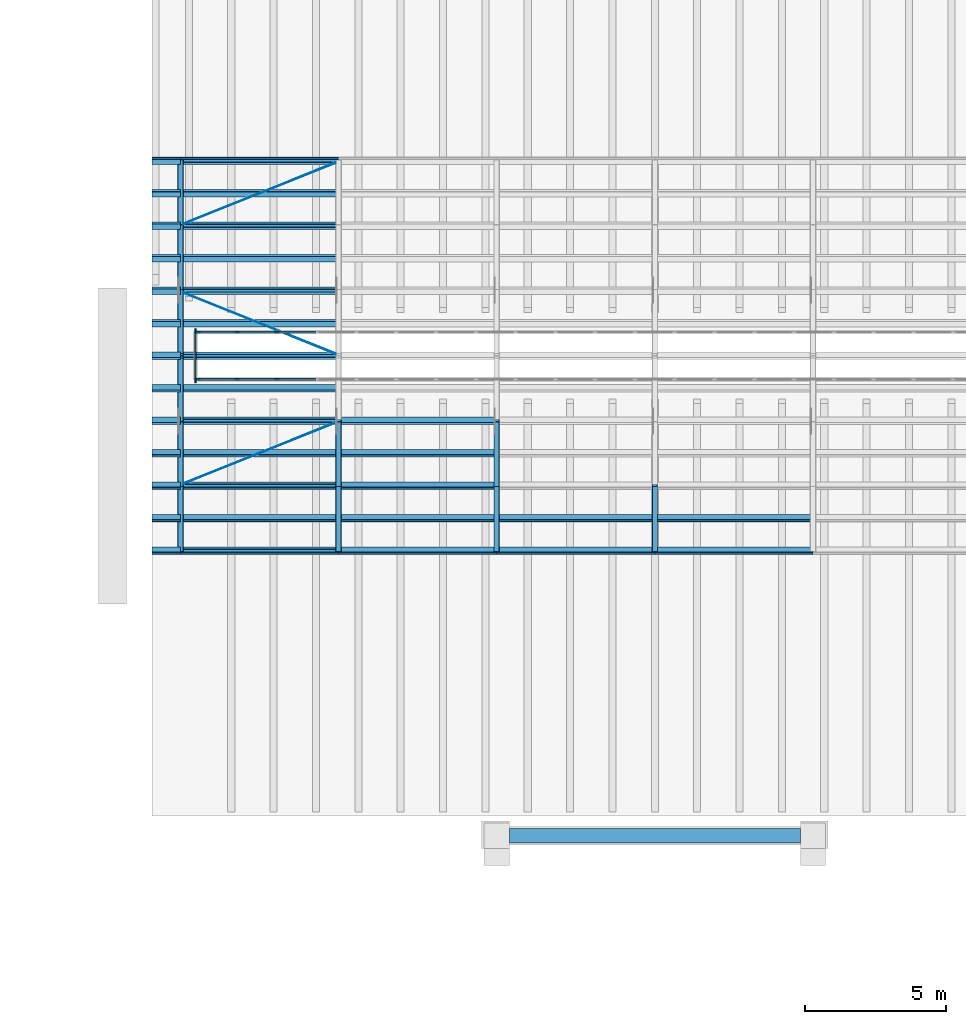
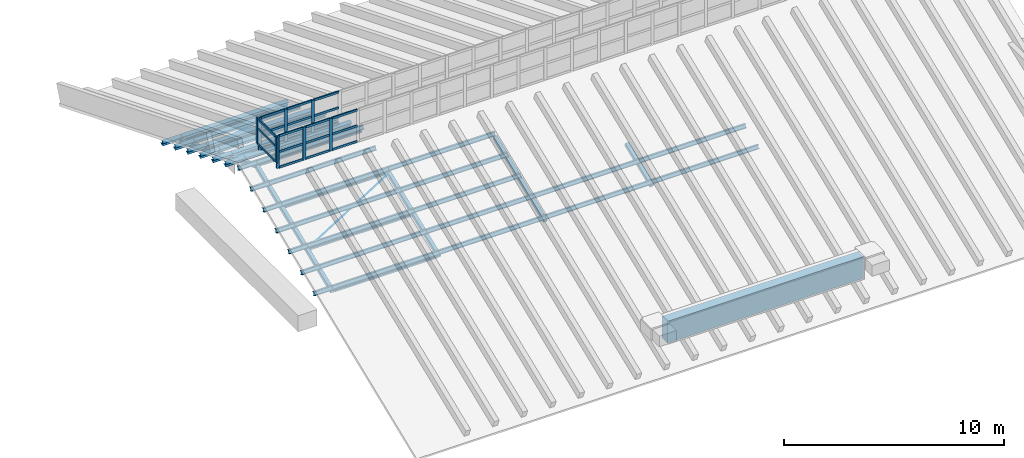
# One storey, part 29 of 105: 85 members, 1 beam, 3 elements without a shape of their own.
"""IFC4 building model written with IfcOpenShell, lengths in metres."""

import ifcopenshell
import ifcopenshell.guid

model = None  # the IFC model being written
_history = None  # IfcOwnerHistory: only IFC2X3 demands one
_inside = {}  # id of a spatial element -> (the spatial element, [elements in it])
_under = {}  # id of a project, library or spatial element -> (it, [spatial elements below it])
_declared = {}  # id of a project -> (the project, [libraries it declares])
_typed = {}  # id of a type object -> (the type object, [elements of that type])
_made_of = {}  # id of a material, layer set ... -> (it, [elements and type objects made of it])


def new_model(schema):
    """Start an empty IFC model of exactly this schema.

    Asked for "IFC4X3", IfcOpenShell would pick the latest addendum, in which some entities
    have other attributes; the version numbers below select the first issue.
    IFC2X3 requires an IfcOwnerHistory on every rooted entity: one is made here for all.
    """
    global model, _history
    if schema == "IFC4X3":
        model = ifcopenshell.file(schema_version=(4, 3, 0, 0))
    else:
        model = ifcopenshell.file(schema=schema)
    _inside.clear()
    _under.clear()
    _declared.clear()
    _typed.clear()
    _made_of.clear()
    _history = None
    if model.schema == "IFC2X3":
        org = make("IfcOrganization", Name="unknown")
        user = make(
            "IfcPersonAndOrganization",
            ThePerson=make("IfcPerson", FamilyName="unknown"),
            TheOrganization=org,
        )
        app = make(
            "IfcApplication",
            ApplicationDeveloper=org,
            Version="unknown",
            ApplicationFullName="unknown",
            ApplicationIdentifier="unknown",
        )
        _history = make(
            "IfcOwnerHistory",
            OwningUser=user,
            OwningApplication=app,
            ChangeAction="ADDED",
            CreationDate=0,
        )
    return model


def make(cls, **values):
    """One entity of the class cls with the attributes given. An attribute that is None is left unset."""
    return model.create_entity(
        cls, **{name: value for name, value in values.items() if value is not None}
    )


def rooted(cls, **values):
    """An entity with a GlobalId (a new one), such as an element, a storey or a relation."""
    return make(cls, GlobalId=ifcopenshell.guid.new(), OwnerHistory=_history, **values)


def si_unit(unit_type, name, prefix=None):
    """IfcSIUnit, for example si_unit("LENGTHUNIT", "METRE", prefix="MILLI")."""
    return make("IfcSIUnit", UnitType=unit_type, Prefix=prefix, Name=name)


def assignment(units):
    """IfcUnitAssignment: the units of a project."""
    return None if units is None else make("IfcUnitAssignment", Units=units)


def point(xyz):
    """IfcCartesianPoint."""
    return None if xyz is None else make("IfcCartesianPoint", Coordinates=xyz)


def direction(xyz):
    """IfcDirection."""
    return None if xyz is None else make("IfcDirection", DirectionRatios=xyz)


def frame(location, z_axis=None, x_axis=None):
    """IfcAxis2Placement3D, a coordinate frame: its origin and axes. An axis left out is left unset."""
    return make(
        "IfcAxis2Placement3D",
        Location=point(location),
        Axis=direction(z_axis),
        RefDirection=direction(x_axis),
    )


def frame_2d(location, x_axis=None):
    """IfcAxis2Placement2D, a coordinate frame in the plane: its origin and x axis."""
    return make(
        "IfcAxis2Placement2D", Location=point(location), RefDirection=direction(x_axis)
    )


def origin():
    """The frame at (0, 0, 0) with its axes left unset."""
    return frame((0.0, 0.0, 0.0))


def origin_2d():
    """The frame at (0, 0) in the plane with its x axis left unset."""
    return frame_2d((0.0, 0.0))


def place(relative_to, where):
    """IfcLocalPlacement: puts the frame where relative to a parent placement (None: the world)."""
    return make(
        "IfcLocalPlacement", PlacementRelTo=relative_to, RelativePlacement=where
    )


def context(
    kind, dimensions, precision=None, world=None, true_north=None, identifier=None
):
    """IfcGeometricRepresentationContext, for example the 3D "Model" context."""
    return make(
        "IfcGeometricRepresentationContext",
        ContextIdentifier=identifier,
        ContextType=kind,
        CoordinateSpaceDimension=dimensions,
        Precision=precision,
        WorldCoordinateSystem=world,
        TrueNorth=true_north,
    )


def subcontext(parent, identifier, kind, view, scale=None):
    """IfcGeometricRepresentationSubContext, for example "Body" below "Model"."""
    return make(
        "IfcGeometricRepresentationSubContext",
        ContextIdentifier=identifier,
        ContextType=kind,
        ParentContext=parent,
        TargetScale=scale,
        TargetView=view,
    )


def project(units=None, contexts=None):
    """IfcProject with its units and contexts."""
    return rooted(
        "IfcProject",
        Name="project",
        RepresentationContexts=contexts,
        UnitsInContext=assignment(units),
    )


def spatial(cls, under=None, at=None, **own):
    """A site, building, storey or space (cls), placed at a placement, below another one or the project."""
    s = rooted(cls, ObjectPlacement=at, **own)
    if under is not None:
        _under.setdefault(under.id(), (under, []))[1].append(s)
    return s


def profile(cls, at=None, kind="AREA", **sizes):
    """A parametric profile (cls). Its sizes go by their IFC names, for example OverallWidth=200.0."""
    return make(cls, ProfileType=kind, Position=at, **sizes)


def rectangle(**sizes):
    """IfcRectangleProfileDef."""
    return profile("IfcRectangleProfileDef", **sizes)


def hollow_rectangle(**sizes):
    """IfcRectangleHollowProfileDef."""
    return profile("IfcRectangleHollowProfileDef", **sizes)


def circle(**sizes):
    """IfcCircleProfileDef."""
    return profile("IfcCircleProfileDef", **sizes)


def i_section(**sizes):
    """IfcIShapeProfileDef."""
    return profile("IfcIShapeProfileDef", **sizes)


def extrude(swept, where, along, depth):
    """IfcExtrudedAreaSolid: the profile swept, set in the frame where, extruded along a direction by depth."""
    return make(
        "IfcExtrudedAreaSolid",
        SweptArea=swept,
        Position=where,
        ExtrudedDirection=direction(along),
        Depth=depth,
    )


def shape(context_of_items, identifier, shape_type, items):
    """IfcShapeRepresentation: the items that make up one representation, for example the "Body"."""
    return make(
        "IfcShapeRepresentation",
        ContextOfItems=context_of_items,
        RepresentationIdentifier=identifier,
        RepresentationType=shape_type,
        Items=items,
    )


def material(Name=None, Category=None):
    """IfcMaterial."""
    return make("IfcMaterial", Name=Name, Category=Category)


def layer(
    of_material, thickness, ventilated=None, Name=None, Category=None, Priority=None
):
    """IfcMaterialLayer: one layer of a wall or slab, of a material (None: an air gap)."""
    return make(
        "IfcMaterialLayer",
        Material=of_material,
        LayerThickness=thickness,
        IsVentilated=ventilated,
        Name=Name,
        Category=Category,
        Priority=Priority,
    )


def layer_set(layers, Name=None):
    """IfcMaterialLayerSet."""
    return make("IfcMaterialLayerSet", MaterialLayers=layers, LayerSetName=Name)


def material_profile(
    of_material, cross_section, Name=None, Category=None, Priority=None
):
    """IfcMaterialProfile: a cross section and its material."""
    return make(
        "IfcMaterialProfile",
        Name=Name,
        Material=of_material,
        Profile=cross_section,
        Priority=Priority,
        Category=Category,
    )


def profile_set(profiles, Name=None, composite=None):
    """IfcMaterialProfileSet."""
    return make(
        "IfcMaterialProfileSet",
        Name=Name,
        MaterialProfiles=profiles,
        CompositeProfile=composite,
    )


def made_of(thing, what):
    """Note that an element or type object is made of a material, layer set ...; save() writes the relation."""
    if what is not None:
        _made_of.setdefault(what.id(), (what, []))[1].append(thing)
    return thing


def type_object(cls, material=None, **own):
    """A type object (cls), such as IfcWallType, which elements share."""
    return made_of(rooted(cls, **own), material)


def element(
    cls,
    number,
    at=None,
    inside=None,
    cuts=None,
    type_object=None,
    material=None,
    context=None,
    identifier="Body",
    shape_type=None,
    held_by="IfcProductDefinitionShape",
    body=None,
    shapes=None,
    **own,
):
    """One element of the class cls, such as IfcWall. Its Tag is "e" and its number.

    at: its placement. inside: the storey or other place that contains it. cuts: it is an
    opening in that element (IfcRelVoidsElement). A single representation is given by context,
    identifier, shape_type and body (its items); several are given by shapes. held_by: the class
    of the entity that holds the representations. save() writes the other relations.
    """
    e = rooted(cls, Tag="e%d" % number, ObjectPlacement=at, **own)
    if body is not None:
        shapes = [shape(context, identifier, shape_type, body)]
    if shapes is not None:
        e.Representation = make(held_by, Representations=shapes)
    if inside is not None:
        _inside.setdefault(inside.id(), (inside, []))[1].append(e)
    if cuts is not None:
        rooted(
            "IfcRelVoidsElement", RelatingBuildingElement=cuts, RelatedOpeningElement=e
        )
    if type_object is not None:
        _typed.setdefault(type_object.id(), (type_object, []))[1].append(e)
    return made_of(e, material)


def aggregate(whole, parts):
    """IfcRelAggregates: a whole, such as a stair, and the parts it consists of."""
    return rooted("IfcRelAggregates", RelatingObject=whole, RelatedObjects=parts)


def save(model, path):
    """Write the relations noted so far, then the file.

    IfcRelAggregates (storeys below a building ...), IfcRelContainedInSpatialStructure (elements
    in a storey), IfcRelDefinesByType, IfcRelAssociatesMaterial and IfcRelDeclares: one each for
    every whole, place, type object, material and project.
    """
    for whole, parts in _under.values():
        aggregate(whole, parts)
    for where, things in _inside.values():
        rooted(
            "IfcRelContainedInSpatialStructure",
            RelatedElements=things,
            RelatingStructure=where,
        )
    for kind, things in _typed.values():
        rooted("IfcRelDefinesByType", RelatedObjects=things, RelatingType=kind)
    for what, things in _made_of.values():
        rooted("IfcRelAssociatesMaterial", RelatedObjects=things, RelatingMaterial=what)
    for by, libraries in _declared.values():
        rooted("IfcRelDeclares", RelatingContext=by, RelatedDefinitions=libraries)
    model.write(path)


model = new_model("IFC4")

# Units and contexts
model_context = context("Model", 3, precision=1e-05, world=origin(), true_north=direction((0.0, 1.0)))
body_context = subcontext(model_context, "Body", "Model", "MODEL_VIEW")
ifc_project = project(units=[si_unit("LENGTHUNIT", "METRE"), si_unit("AREAUNIT", "SQUARE_METRE"), si_unit("VOLUMEUNIT", "CUBIC_METRE"), si_unit("PLANEANGLEUNIT", "RADIAN"), si_unit("MASSUNIT", "GRAM", prefix="KILO")], contexts=[model_context])

# Site, building, storey
site_placement = place(None, origin())
site = spatial("IfcSite", under=ifc_project, at=site_placement, CompositionType="ELEMENT")
building_placement = place(site_placement, origin())
building = spatial("IfcBuilding", under=site, at=building_placement, Name="Wasatch Bagh Community Centre", CompositionType="ELEMENT")
storey_placement = place(building_placement, frame((0.0, 0.0, 16.800048828125)))
storey = spatial("IfcBuildingStorey", under=building, at=storey_placement, Name="L04", CompositionType="ELEMENT", Elevation=16.800048828125)

# Beam
ifc_material_1 = material(Name="Concrete C35", Category="concrete")
ifc_material_profile_1 = material_profile(ifc_material_1, rectangle(XDim=0.5, YDim=1.199951171875, at=origin_2d()), Name="RC 500x1200")
ifc_profile_set_1 = profile_set([ifc_material_profile_1], Name="Concrete C35")
beam_type = type_object("IfcBeamType", Name="CL-B3", PredefinedType="BEAM", material=ifc_profile_set_1)
beam_placement = place(storey_placement, frame((123.85009765625, 35.0, 0.0), z_axis=(1.0, 0.0, 0.0), x_axis=(0.0, 1.0, 0.0)))
element("IfcBeam", 1, at=beam_placement, inside=storey, type_object=beam_type, Name="CL-B3 head beam SH", PredefinedType="BEAM", context=body_context, shape_type="SweptSolid", body=[
    extrude(rectangle(XDim=0.5, YDim=1.199951171875, at=origin_2d()), origin(), (0.0, 0.0, 1.0), 10.2998046875),
])

# Members
ifc_material_2 = material(Name="ASTM A500 Grade C steel", Category="steel")
ifc_material_profile_2 = material_profile(ifc_material_2, hollow_rectangle(XDim=0.1015625, YDim=0.1015625, WallThickness=0.005859375, InnerFilletRadius=0.005859375, OuterFilletRadius=0.01171875, at=origin_2d()), Name="HSS4x4x1/4")
ifc_profile_set_2 = profile_set([ifc_material_profile_2], Name="ASTM A500 Grade C steel")
member_type_1 = type_object("IfcMemberType", Name="SH HSS4x4x1/4 strut", PredefinedType="STRUT", material=ifc_profile_set_2)
for number, where, z_axis, x_axis, name in (
    (2, (112.29541015625, 45.10009765625, 0.088134765625), (1.0, 0.0, 0.0), (0.0, 1.0, 0.0), "SH.BR.wT.ST03E"),
    (3, (112.29541015625, 47.39990234375, 1.017333984375), (1.0, 0.0, 0.0), (0.0, 1.0, 0.0), "SH.BR.wT.ST05W"),
    (4, (112.29541015625, 49.699951171875, 1.94677734375), (1.0, 0.0, 0.0), (0.0, 1.0, 0.0), "SH.BR.wT.ST05E"),
    (5, (112.29541015625, 52.0, 2.884033203125), (1.0, 0.0, 0.0), (0.0, 1.0, 0.0), "SH.BR.wT.ST07W"),
    (6, (112.29541015625, 54.300048828125, 1.94677734375), (1.0, 0.0, 0.0), (0.0, 1.0, 0.0), "SH.BR.wT.ST07E"),
    (7, (112.29541015625, 56.60009765625, 1.017333984375), (1.0, 0.0, 0.0), (0.0, 1.0, 0.0), "SH.BR.wT.ST09W"),
    (8, (112.29541015625, 58.89990234375, 0.088134765625), (1.0, 0.0, 0.0), (0.0, 1.0, 0.0), "SH.BR.wT.ST09E"),
):
    element("IfcMember", number, at=place(storey_placement, frame(where, z_axis=z_axis, x_axis=x_axis)), inside=storey, type_object=member_type_1, Name=name, PredefinedType="STRUT", context=body_context, shape_type="SweptSolid", body=[
        extrude(hollow_rectangle(XDim=0.1015625, YDim=0.1015625, WallThickness=0.005859375, InnerFilletRadius=0.005859375, OuterFilletRadius=0.01171875, at=origin_2d()), origin(), (0.0, 0.0, 1.0), 5.4091796875),
    ])
ifc_material_profile_3 = material_profile(ifc_material_2, hollow_rectangle(XDim=0.203125, YDim=0.203125, WallThickness=0.01171875, InnerFilletRadius=0.01171875, OuterFilletRadius=0.023681640625, at=origin_2d()), Name="HSS8x8x1/2")
ifc_profile_set_3 = profile_set([ifc_material_profile_3], Name="ASTM A500 Grade C steel")
member_type_2 = type_object("IfcMemberType", Name="SH HSS8x8x1/2 chord", PredefinedType="CHORD", material=ifc_profile_set_3)
member_1_placement = place(storey_placement, frame((112.199951171875, 45.100341796875, 0.08837890625), z_axis=(0.0, 0.927187923428, 0.374596522472), x_axis=(-1.0, 0.0, 0.0)))
element("IfcMember", 9, at=member_1_placement, inside=storey, type_object=member_type_2, Name="SH.SA1.TC05", PredefinedType="CHORD", context=body_context, shape_type="SweptSolid", body=[
    extrude(hollow_rectangle(XDim=0.203125, YDim=0.203125, WallThickness=0.01171875, InnerFilletRadius=0.01171875, OuterFilletRadius=0.023681640625, at=origin_2d()), origin(), (0.0, 0.0, 1.0), 2.47998046875),
])
member_2_placement = place(storey_placement, frame((112.199951171875, 47.400390625, 1.017578125), z_axis=(0.0, 0.927174106992, 0.374630718605), x_axis=(-1.0, 0.0, 0.0)))
element("IfcMember", 10, at=member_2_placement, inside=storey, type_object=member_type_2, Name="SH.SA1.TC06", PredefinedType="CHORD", context=body_context, shape_type="SweptSolid", body=[
    extrude(hollow_rectangle(XDim=0.203125, YDim=0.203125, WallThickness=0.01171875, InnerFilletRadius=0.01171875, OuterFilletRadius=0.023681640625, at=origin_2d()), origin(), (0.0, 0.0, 1.0), 2.479736328125),
])
for number, where, z_axis, x_axis, name in (
    (11, (112.199951171875, 49.70068359375, 1.947021484375), (0.0, 0.926063881505, 0.377366780961), (-1.0, 0.0, 0.0), "SH.SA1.TC07"),
    (12, (112.199951171875, 52.038818359375, 2.8681640625), (0.0, 0.926063881505, -0.377366780961), (-1.0, 0.0, 0.0), "SH.SA1.TC08"),
):
    element("IfcMember", number, at=place(storey_placement, frame(where, z_axis=z_axis, x_axis=x_axis)), inside=storey, type_object=member_type_2, Name=name, PredefinedType="CHORD", context=body_context, shape_type="SweptSolid", body=[
        extrude(hollow_rectangle(XDim=0.203125, YDim=0.203125, WallThickness=0.01171875, InnerFilletRadius=0.01171875, OuterFilletRadius=0.023681640625, at=origin_2d()), origin(), (0.0, 0.0, 1.0), 2.44091796875),
    ])
member_3_placement = place(storey_placement, frame((112.199951171875, 54.300537109375, 1.946533203125), z_axis=(0.0, 0.927174106992, -0.374630718605), x_axis=(-1.0, 0.0, 0.0)))
element("IfcMember", 13, at=member_3_placement, inside=storey, type_object=member_type_2, Name="SH.SA1.TC09", PredefinedType="CHORD", context=body_context, shape_type="SweptSolid", body=[
    extrude(hollow_rectangle(XDim=0.203125, YDim=0.203125, WallThickness=0.01171875, InnerFilletRadius=0.01171875, OuterFilletRadius=0.023681640625, at=origin_2d()), origin(), (0.0, 0.0, 1.0), 2.479736328125),
])
for number, where, z_axis, x_axis, name in (
    (14, (112.199951171875, 56.600341796875, 1.017333984375), (0.0, 0.927187923428, -0.374596522472), (-1.0, 0.0, 0.0), "SH.SA1.TC10"),
    (15, (117.800048828125, 45.100341796875, 0.08837890625), (0.0, 0.927187923428, 0.374596522472), (-1.0, 0.0, 0.0), "SH.SA2.TC05"),
):
    element("IfcMember", number, at=place(storey_placement, frame(where, z_axis=z_axis, x_axis=x_axis)), inside=storey, type_object=member_type_2, Name=name, PredefinedType="CHORD", context=body_context, shape_type="SweptSolid", body=[
        extrude(hollow_rectangle(XDim=0.203125, YDim=0.203125, WallThickness=0.01171875, InnerFilletRadius=0.01171875, OuterFilletRadius=0.023681640625, at=origin_2d()), origin(), (0.0, 0.0, 1.0), 2.47998046875),
    ])
member_4_placement = place(storey_placement, frame((117.800048828125, 47.400390625, 1.017578125), z_axis=(0.0, 0.927174106992, 0.374630718605), x_axis=(-1.0, 0.0, 0.0)))
element("IfcMember", 16, at=member_4_placement, inside=storey, type_object=member_type_2, Name="SH.SA2.TC06", PredefinedType="CHORD", context=body_context, shape_type="SweptSolid", body=[
    extrude(hollow_rectangle(XDim=0.203125, YDim=0.203125, WallThickness=0.01171875, InnerFilletRadius=0.01171875, OuterFilletRadius=0.023681640625, at=origin_2d()), origin(), (0.0, 0.0, 1.0), 2.479736328125),
])
member_5_placement = place(storey_placement, frame((123.39990234375, 45.100341796875, 0.08837890625), z_axis=(0.0, 0.927187923428, 0.374596522472), x_axis=(-1.0, 0.0, 0.0)))
element("IfcMember", 17, at=member_5_placement, inside=storey, type_object=member_type_2, Name="SH.SA3.TC05", PredefinedType="CHORD", context=body_context, shape_type="SweptSolid", body=[
    extrude(hollow_rectangle(XDim=0.203125, YDim=0.203125, WallThickness=0.01171875, InnerFilletRadius=0.01171875, OuterFilletRadius=0.023681640625, at=origin_2d()), origin(), (0.0, 0.0, 1.0), 2.47998046875),
])
member_6_placement = place(storey_placement, frame((123.39990234375, 47.400390625, 1.017578125), z_axis=(0.0, 0.927174106992, 0.374630718605), x_axis=(-1.0, 0.0, 0.0)))
element("IfcMember", 18, at=member_6_placement, inside=storey, type_object=member_type_2, Name="SH.SA3.TC06", PredefinedType="CHORD", context=body_context, shape_type="SweptSolid", body=[
    extrude(hollow_rectangle(XDim=0.203125, YDim=0.203125, WallThickness=0.01171875, InnerFilletRadius=0.01171875, OuterFilletRadius=0.023681640625, at=origin_2d()), origin(), (0.0, 0.0, 1.0), 2.479736328125),
])
member_7_placement = place(storey_placement, frame((129.0, 45.100341796875, 0.08837890625), z_axis=(0.0, 0.927187923428, 0.374596522472), x_axis=(-1.0, 0.0, 0.0)))
element("IfcMember", 19, at=member_7_placement, inside=storey, type_object=member_type_2, Name="SH.SA4.TC05", PredefinedType="CHORD", context=body_context, shape_type="SweptSolid", body=[
    extrude(hollow_rectangle(XDim=0.203125, YDim=0.203125, WallThickness=0.01171875, InnerFilletRadius=0.01171875, OuterFilletRadius=0.023681640625, at=origin_2d()), origin(), (0.0, 0.0, 1.0), 2.47998046875),
])
ifc_material_3 = material(Name="ASTM A572 Grade 50 steel", Category="steel")
ifc_material_profile_4 = material_profile(ifc_material_3, circle(Radius=0.01611328125, at=origin_2d()), Name="ROD 32")
ifc_profile_set_4 = profile_set([ifc_material_profile_4], Name="ASTM A572 Grade 50 steel")
member_type_3 = type_object("IfcMemberType", Name="SH ROD 32 brace", PredefinedType="BRACE", material=ifc_profile_set_4)
member_8_placement = place(storey_placement, frame((112.3037109375, 47.46875, 1.045166015625), z_axis=(0.917824576561, 0.368077240999, 0.148718496899), x_axis=(-0.372216447055, 0.928145956486, 0.0)))
element("IfcMember", 20, at=member_8_placement, inside=storey, type_object=member_type_3, Name="SH.BR.wT.DG05", PredefinedType="BRACE", context=body_context, shape_type="SweptSolid", body=[
    extrude(circle(Radius=0.01611328125, at=origin_2d()), origin(), (0.0, 0.0, 1.0), 5.87548828125),
])
member_9_placement = place(storey_placement, frame((112.3037109375, 54.231201171875, 1.974609375), z_axis=(0.917662066696, -0.367970523575, 0.149980082433), x_axis=(0.372180247551, 0.928160472835, 0.0)))
element("IfcMember", 21, at=member_9_placement, inside=storey, type_object=member_type_3, Name="SH.BR.wT.DG07", PredefinedType="BRACE", context=body_context, shape_type="SweptSolid", body=[
    extrude(circle(Radius=0.01611328125, at=origin_2d()), origin(), (0.0, 0.0, 1.0), 5.87646484375),
])
member_10_placement = place(storey_placement, frame((112.3037109375, 56.668701171875, 0.98974609375), z_axis=(0.917824576561, 0.368077240999, -0.148718496899), x_axis=(-0.372216447055, 0.928145956486, 0.0)))
element("IfcMember", 22, at=member_10_placement, inside=storey, type_object=member_type_3, Name="SH.BR.wT.DG09", PredefinedType="BRACE", context=body_context, shape_type="SweptSolid", body=[
    extrude(circle(Radius=0.01611328125, at=origin_2d()), origin(), (0.0, 0.0, 1.0), 5.87548828125),
])
ifc_material_4 = material(Name="ASTM A992 Grade 50 steel", Category="steel")
ifc_material_profile_5 = material_profile(ifc_material_4, i_section(OverallWidth=0.203125, OverallDepth=0.203125, WebThickness=0.00732421875, FlangeThickness=0.010986328125, at=origin_2d()), Name="W8x31")
ifc_profile_set_5 = profile_set([ifc_material_profile_5], Name="ASTM A992 Grade 50 steel")
member_type_4 = type_object("IfcMemberType", Name="SH W8x31 purlin", PredefinedType="PURLIN", material=ifc_profile_set_5)
for number, where, z_axis, x_axis, name in (
    (23, (112.199951171875, 45.10009765625, 0.307373046875), (1.0, 0.0, 0.0), (0.0, 0.927183854567, -0.374606593416), "SH.PUR.b1.PU10"),
    (24, (112.199951171875, 46.25, 0.77197265625), (1.0, 0.0, 0.0), (0.0, 0.927183854567, -0.374606593416), "SH.PUR.b1.PU11"),
    (25, (112.199951171875, 47.39990234375, 1.236572265625), (1.0, 0.0, 0.0), (0.0, 0.927183854567, -0.374606593416), "SH.PUR.b1.PU12"),
    (26, (112.199951171875, 48.550048828125, 1.701171875), (1.0, 0.0, 0.0), (0.0, 0.927183854567, -0.374606593416), "SH.PUR.b1.PU13"),
    (27, (112.199951171875, 49.699951171875, 2.165771484375), (1.0, 0.0, 0.0), (0.0, 0.927183854567, -0.374606593416), "SH.PUR.b1.PU14"),
    (28, (112.199951171875, 50.85009765625, 2.63037109375), (1.0, 0.0, 0.0), (0.0, 0.927183854567, -0.374606593416), "SH.PUR.b1.PU15"),
    (29, (112.199951171875, 52.0, 3.094970703125), (1.0, 0.0, 0.0), (0.0, 0.927183854567, -0.374606593416), "SH.PUR.b1.PU16"),
    (30, (112.199951171875, 53.14990234375, 2.63037109375), (1.0, 0.0, 0.0), (0.0, 0.927183854567, 0.374606593416), "SH.PUR.b1.PU17"),
    (31, (112.199951171875, 54.300048828125, 2.165771484375), (1.0, 0.0, 0.0), (0.0, 0.927183854567, 0.374606593416), "SH.PUR.b1.PU18"),
    (32, (112.199951171875, 55.449951171875, 1.701171875), (1.0, 0.0, 0.0), (0.0, 0.927183854567, 0.374606593416), "SH.PUR.b1.PU19"),
    (33, (112.199951171875, 56.60009765625, 1.236572265625), (1.0, 0.0, 0.0), (0.0, 0.927183854567, 0.374606593416), "SH.PUR.b1.PU20"),
    (34, (112.199951171875, 57.75, 0.77197265625), (1.0, 0.0, 0.0), (0.0, 0.927183854567, 0.374606593416), "SH.PUR.b1.PU21"),
    (35, (112.199951171875, 58.89990234375, 0.307373046875), (1.0, 0.0, 0.0), (0.0, 0.927183854567, 0.374606593416), "SH.PUR.b1.PU22"),
):
    element("IfcMember", number, at=place(storey_placement, frame(where, z_axis=z_axis, x_axis=x_axis)), inside=storey, type_object=member_type_4, Name=name, PredefinedType="PURLIN", context=body_context, shape_type="SweptSolid", body=[
        extrude(i_section(OverallWidth=0.203125, OverallDepth=0.203125, WebThickness=0.00732421875, FlangeThickness=0.010986328125, at=origin_2d()), origin(), (0.0, 0.0, 1.0), 5.60009765625),
    ])
for number, where, z_axis, x_axis, name in (
    (36, (117.800048828125, 45.10009765625, 0.307373046875), (1.0, 0.0, 0.0), (0.0, 0.927183854567, -0.374606593416), "SH.PUR.b2.PU10"),
    (37, (117.800048828125, 46.25, 0.77197265625), (1.0, 0.0, 0.0), (0.0, 0.927183854567, -0.374606593416), "SH.PUR.b2.PU11"),
    (38, (117.800048828125, 47.39990234375, 1.236572265625), (1.0, 0.0, 0.0), (0.0, 0.927183854567, -0.374606593416), "SH.PUR.b2.PU12"),
    (39, (117.800048828125, 48.550048828125, 1.701171875), (1.0, 0.0, 0.0), (0.0, 0.927183854567, -0.374606593416), "SH.PUR.b2.PU13"),
    (40, (117.800048828125, 49.699951171875, 2.165771484375), (1.0, 0.0, 0.0), (0.0, 0.927183854567, -0.374606593416), "SH.PUR.b2.PU14"),
):
    element("IfcMember", number, at=place(storey_placement, frame(where, z_axis=z_axis, x_axis=x_axis)), inside=storey, type_object=member_type_4, Name=name, PredefinedType="PURLIN", context=body_context, shape_type="SweptSolid", body=[
        extrude(i_section(OverallWidth=0.203125, OverallDepth=0.203125, WebThickness=0.00732421875, FlangeThickness=0.010986328125, at=origin_2d()), origin(), (0.0, 0.0, 1.0), 5.599853515625),
    ])
for number, where, z_axis, x_axis, name in (
    (41, (123.39990234375, 45.10009765625, 0.307373046875), (1.0, 0.0, 0.0), (0.0, 0.927183854567, -0.374606593416), "SH.PUR.b3.PU10"),
    (42, (123.39990234375, 46.25, 0.77197265625), (1.0, 0.0, 0.0), (0.0, 0.927183854567, -0.374606593416), "SH.PUR.b3.PU11"),
    (43, (129.0, 45.10009765625, 0.307373046875), (1.0, 0.0, 0.0), (0.0, 0.927183854567, -0.374606593416), "SH.PUR.b4.PU10"),
    (44, (129.0, 46.25, 0.77197265625), (1.0, 0.0, 0.0), (0.0, 0.927183854567, -0.374606593416), "SH.PUR.b4.PU11"),
):
    element("IfcMember", number, at=place(storey_placement, frame(where, z_axis=z_axis, x_axis=x_axis)), inside=storey, type_object=member_type_4, Name=name, PredefinedType="PURLIN", context=body_context, shape_type="SweptSolid", body=[
        extrude(i_section(OverallWidth=0.203125, OverallDepth=0.203125, WebThickness=0.00732421875, FlangeThickness=0.010986328125, at=origin_2d()), origin(), (0.0, 0.0, 1.0), 5.60009765625),
    ])
for number, where, z_axis, x_axis, name in (
    (45, (111.199951171875, 45.10009765625, 0.307373046875), (1.0, 0.0, 0.0), (0.0, 0.927183854567, -0.374606593416), "SH.PUR.v1.PU10"),
    (46, (111.199951171875, 46.25, 0.77197265625), (1.0, 0.0, 0.0), (0.0, 0.927183854567, -0.374606593416), "SH.PUR.v1.PU11"),
    (47, (111.199951171875, 47.39990234375, 1.236572265625), (1.0, 0.0, 0.0), (0.0, 0.927183854567, -0.374606593416), "SH.PUR.v1.PU12"),
    (48, (111.199951171875, 48.550048828125, 1.701171875), (1.0, 0.0, 0.0), (0.0, 0.927183854567, -0.374606593416), "SH.PUR.v1.PU13"),
    (49, (111.199951171875, 49.699951171875, 2.165771484375), (1.0, 0.0, 0.0), (0.0, 0.927183854567, -0.374606593416), "SH.PUR.v1.PU14"),
    (50, (111.199951171875, 50.85009765625, 2.63037109375), (1.0, 0.0, 0.0), (0.0, 0.927183854567, -0.374606593416), "SH.PUR.v1.PU15"),
    (51, (111.199951171875, 52.0, 3.094970703125), (1.0, 0.0, 0.0), (0.0, 0.927183854567, -0.374606593416), "SH.PUR.v1.PU16"),
    (52, (111.199951171875, 53.14990234375, 2.63037109375), (1.0, 0.0, 0.0), (0.0, 0.927183854567, 0.374606593416), "SH.PUR.v1.PU17"),
    (53, (111.199951171875, 54.300048828125, 2.165771484375), (1.0, 0.0, 0.0), (0.0, 0.927183854567, 0.374606593416), "SH.PUR.v1.PU18"),
    (54, (111.199951171875, 55.449951171875, 1.701171875), (1.0, 0.0, 0.0), (0.0, 0.927183854567, 0.374606593416), "SH.PUR.v1.PU19"),
    (55, (111.199951171875, 56.60009765625, 1.236572265625), (1.0, 0.0, 0.0), (0.0, 0.927183854567, 0.374606593416), "SH.PUR.v1.PU20"),
    (56, (111.199951171875, 57.75, 0.77197265625), (1.0, 0.0, 0.0), (0.0, 0.927183854567, 0.374606593416), "SH.PUR.v1.PU21"),
    (57, (111.199951171875, 58.89990234375, 0.307373046875), (1.0, 0.0, 0.0), (0.0, 0.927183854567, 0.374606593416), "SH.PUR.v1.PU22"),
):
    element("IfcMember", number, at=place(storey_placement, frame(where, z_axis=z_axis, x_axis=x_axis)), inside=storey, type_object=member_type_4, Name=name, PredefinedType="PURLIN", context=body_context, shape_type="SweptSolid", body=[
        extrude(i_section(OverallWidth=0.203125, OverallDepth=0.203125, WebThickness=0.00732421875, FlangeThickness=0.010986328125, at=origin_2d()), origin(), (0.0, 0.0, 1.0), 1.0),
    ])

# Curtain wall, members
ifc_material_5 = material(Name="Aluminium alloy 6063-T6", Category="aluminium")
ifc_layer = layer(ifc_material_5, 0.10009765625)
ifc_layer_set = layer_set([ifc_layer], Name="Aluminium alloy 6063-T6")
curtain_wall_type = type_object("IfcCurtainWallType", Name="SH-CW3", PredefinedType="NOTDEFINED", material=ifc_layer_set)
curtain_wall_1_placement = place(storey_placement, origin())
curtain_wall_1 = element("IfcCurtainWall", 58, at=curtain_wall_1_placement, inside=storey, type_object=curtain_wall_type, Name="Curtain wall SH-CW3", PredefinedType="NOTDEFINED")
ifc_material_profile_6 = material_profile(ifc_material_5, rectangle(XDim=0.06005859375, YDim=0.159912109375, at=origin_2d()), Name="AL 60x160")
ifc_profile_set_6 = profile_set([ifc_material_profile_6], Name="Aluminium alloy 6063-T6")
member_type_5 = type_object("IfcMemberType", Name="SH-CW3 mullion", PredefinedType="MULLION", material=ifc_profile_set_6)
member_11_placement = place(storey_placement, frame((112.830078125, 51.169921875, 3.052734375), z_axis=(0.0, 0.0, 1.0), x_axis=(0.0, 1.0, 0.0)))
member_11 = element("IfcMember", 59, at=member_11_placement, type_object=member_type_5, Name="SH-CW3 mullion 1", PredefinedType="MULLION", context=body_context, shape_type="SweptSolid", body=[
    extrude(rectangle(XDim=0.06005859375, YDim=0.159912109375, at=origin_2d()), origin(), (0.0, 0.0, 1.0), 1.800048828125),
])
member_12_placement = place(storey_placement, frame((114.208740234375, 51.169921875, 3.052734375), z_axis=(0.0, 0.0, 1.0), x_axis=(0.0, 1.0, 0.0)))
member_12 = element("IfcMember", 60, at=member_12_placement, type_object=member_type_5, Name="SH-CW3 mullion 2", PredefinedType="MULLION", context=body_context, shape_type="SweptSolid", body=[
    extrude(rectangle(XDim=0.06005859375, YDim=0.159912109375, at=origin_2d()), origin(), (0.0, 0.0, 1.0), 1.800048828125),
])
member_13_placement = place(storey_placement, frame((115.617431640625, 51.169921875, 3.052734375), z_axis=(0.0, 0.0, 1.0), x_axis=(0.0, 1.0, 0.0)))
member_13 = element("IfcMember", 61, at=member_13_placement, type_object=member_type_5, Name="SH-CW3 mullion 3", PredefinedType="MULLION", context=body_context, shape_type="SweptSolid", body=[
    extrude(rectangle(XDim=0.06005859375, YDim=0.159912109375, at=origin_2d()), origin(), (0.0, 0.0, 1.0), 1.800048828125),
])

curtain_wall_2_placement = place(storey_placement, origin())
curtain_wall_2 = element("IfcCurtainWall", 62, at=curtain_wall_2_placement, inside=storey, type_object=curtain_wall_type, Name="Curtain wall SH-CW3", PredefinedType="NOTDEFINED")
member_14_placement = place(storey_placement, frame((112.830078125, 52.830078125, 3.052734375), z_axis=(0.0, 0.0, 1.0), x_axis=(0.0, 1.0, 0.0)))
member_14 = element("IfcMember", 63, at=member_14_placement, type_object=member_type_5, Name="SH-CW3 mullion 1", PredefinedType="MULLION", context=body_context, shape_type="SweptSolid", body=[
    extrude(rectangle(XDim=0.06005859375, YDim=0.159912109375, at=origin_2d()), origin(), (0.0, 0.0, 1.0), 1.800048828125),
])
member_15_placement = place(storey_placement, frame((114.208740234375, 52.830078125, 3.052734375), z_axis=(0.0, 0.0, 1.0), x_axis=(0.0, 1.0, 0.0)))
member_15 = element("IfcMember", 64, at=member_15_placement, type_object=member_type_5, Name="SH-CW3 mullion 2", PredefinedType="MULLION", context=body_context, shape_type="SweptSolid", body=[
    extrude(rectangle(XDim=0.06005859375, YDim=0.159912109375, at=origin_2d()), origin(), (0.0, 0.0, 1.0), 1.800048828125),
])
member_16_placement = place(storey_placement, frame((115.617431640625, 52.830078125, 3.052734375), z_axis=(0.0, 0.0, 1.0), x_axis=(0.0, 1.0, 0.0)))
member_16 = element("IfcMember", 65, at=member_16_placement, type_object=member_type_5, Name="SH-CW3 mullion 3", PredefinedType="MULLION", context=body_context, shape_type="SweptSolid", body=[
    extrude(rectangle(XDim=0.06005859375, YDim=0.159912109375, at=origin_2d()), origin(), (0.0, 0.0, 1.0), 1.800048828125),
])

curtain_wall_3_placement = place(storey_placement, origin())
curtain_wall_3 = element("IfcCurtainWall", 66, at=curtain_wall_3_placement, inside=storey, type_object=curtain_wall_type, Name="Curtain wall SH-CW3", PredefinedType="NOTDEFINED")
member_17_placement = place(storey_placement, frame((112.72998046875, 51.1298828125, 3.41650390625), z_axis=(0.0, 0.0, 1.0), x_axis=(-1.0, 0.0, 0.0)))
member_17 = element("IfcMember", 67, at=member_17_placement, type_object=member_type_5, Name="SH-CW3 mullion 1", PredefinedType="MULLION", context=body_context, shape_type="SweptSolid", body=[
    extrude(rectangle(XDim=0.06005859375, YDim=0.159912109375, at=origin_2d()), origin(), (0.0, 0.0, 1.0), 1.436279296875),
])
member_18_placement = place(storey_placement, frame((112.72998046875, 52.8701171875, 3.41650390625), z_axis=(0.0, 0.0, 1.0), x_axis=(-1.0, 0.0, 0.0)))
member_18 = element("IfcMember", 68, at=member_18_placement, type_object=member_type_5, Name="SH-CW3 mullion 2", PredefinedType="MULLION", context=body_context, shape_type="SweptSolid", body=[
    extrude(rectangle(XDim=0.06005859375, YDim=0.159912109375, at=origin_2d()), origin(), (0.0, 0.0, 1.0), 1.436279296875),
])

# Member
ifc_material_profile_7 = material_profile(ifc_material_5, rectangle(XDim=0.06005859375, YDim=0.1201171875, at=origin_2d()), Name="AL 60x120")
ifc_profile_set_7 = profile_set([ifc_material_profile_7], Name="Aluminium alloy 6063-T6")
member_type_6 = type_object("IfcMemberType", Name="SH-CW3 transom", PredefinedType="USERDEFINED", material=ifc_profile_set_7)
member_19_placement = place(storey_placement, frame((112.860107421875, 51.169921875, 3.082763671875), z_axis=(1.0, 0.0, 0.0), x_axis=(0.0, 1.0, 0.0)))
member_19 = element("IfcMember", 69, at=member_19_placement, type_object=member_type_6, Name="SH-CW3 transom 1.1", ObjectType="TRANSOM", PredefinedType="USERDEFINED", context=body_context, shape_type="SweptSolid", body=[
    extrude(rectangle(XDim=0.06005859375, YDim=0.1201171875, at=origin_2d()), origin(), (0.0, 0.0, 1.0), 1.318603515625),
])

member_20_placement = place(storey_placement, frame((112.860107421875, 51.169921875, 3.952880859375), z_axis=(1.0, 0.0, 0.0), x_axis=(0.0, 1.0, 0.0)))
member_20 = element("IfcMember", 70, at=member_20_placement, type_object=member_type_6, Name="SH-CW3 transom 1.2", ObjectType="TRANSOM", PredefinedType="USERDEFINED", context=body_context, shape_type="SweptSolid", body=[
    extrude(rectangle(XDim=0.06005859375, YDim=0.1201171875, at=origin_2d()), origin(), (0.0, 0.0, 1.0), 1.318603515625),
])

member_21_placement = place(storey_placement, frame((112.860107421875, 51.169921875, 4.82275390625), z_axis=(1.0, 0.0, 0.0), x_axis=(0.0, 1.0, 0.0)))
member_21 = element("IfcMember", 71, at=member_21_placement, type_object=member_type_6, Name="SH-CW3 transom 1.3", ObjectType="TRANSOM", PredefinedType="USERDEFINED", context=body_context, shape_type="SweptSolid", body=[
    extrude(rectangle(XDim=0.06005859375, YDim=0.1201171875, at=origin_2d()), origin(), (0.0, 0.0, 1.0), 1.318603515625),
])

member_22_placement = place(storey_placement, frame((114.23876953125, 51.169921875, 3.082763671875), z_axis=(1.0, 0.0, 0.0), x_axis=(0.0, 1.0, 0.0)))
member_22 = element("IfcMember", 72, at=member_22_placement, type_object=member_type_6, Name="SH-CW3 transom 2.1", ObjectType="TRANSOM", PredefinedType="USERDEFINED", context=body_context, shape_type="SweptSolid", body=[
    extrude(rectangle(XDim=0.06005859375, YDim=0.1201171875, at=origin_2d()), origin(), (0.0, 0.0, 1.0), 1.3486328125),
])

member_23_placement = place(storey_placement, frame((114.23876953125, 51.169921875, 3.952880859375), z_axis=(1.0, 0.0, 0.0), x_axis=(0.0, 1.0, 0.0)))
member_23 = element("IfcMember", 73, at=member_23_placement, type_object=member_type_6, Name="SH-CW3 transom 2.2", ObjectType="TRANSOM", PredefinedType="USERDEFINED", context=body_context, shape_type="SweptSolid", body=[
    extrude(rectangle(XDim=0.06005859375, YDim=0.1201171875, at=origin_2d()), origin(), (0.0, 0.0, 1.0), 1.3486328125),
])

member_24_placement = place(storey_placement, frame((114.23876953125, 51.169921875, 4.82275390625), z_axis=(1.0, 0.0, 0.0), x_axis=(0.0, 1.0, 0.0)))
member_24 = element("IfcMember", 74, at=member_24_placement, type_object=member_type_6, Name="SH-CW3 transom 2.3", ObjectType="TRANSOM", PredefinedType="USERDEFINED", context=body_context, shape_type="SweptSolid", body=[
    extrude(rectangle(XDim=0.06005859375, YDim=0.1201171875, at=origin_2d()), origin(), (0.0, 0.0, 1.0), 1.3486328125),
])

member_25_placement = place(storey_placement, frame((115.6474609375, 51.169921875, 3.082763671875), z_axis=(1.0, 0.0, 0.0), x_axis=(0.0, 1.0, 0.0)))
member_25 = element("IfcMember", 75, at=member_25_placement, type_object=member_type_6, Name="SH-CW3 transom 3.1", ObjectType="TRANSOM", PredefinedType="USERDEFINED", context=body_context, shape_type="SweptSolid", body=[
    extrude(rectangle(XDim=0.06005859375, YDim=0.1201171875, at=origin_2d()), origin(), (0.0, 0.0, 1.0), 1.3486328125),
])

member_26_placement = place(storey_placement, frame((115.6474609375, 51.169921875, 3.952880859375), z_axis=(1.0, 0.0, 0.0), x_axis=(0.0, 1.0, 0.0)))
member_26 = element("IfcMember", 76, at=member_26_placement, type_object=member_type_6, Name="SH-CW3 transom 3.2", ObjectType="TRANSOM", PredefinedType="USERDEFINED", context=body_context, shape_type="SweptSolid", body=[
    extrude(rectangle(XDim=0.06005859375, YDim=0.1201171875, at=origin_2d()), origin(), (0.0, 0.0, 1.0), 1.3486328125),
])

member_27_placement = place(storey_placement, frame((115.6474609375, 51.169921875, 4.82275390625), z_axis=(1.0, 0.0, 0.0), x_axis=(0.0, 1.0, 0.0)))
member_27 = element("IfcMember", 77, at=member_27_placement, type_object=member_type_6, Name="SH-CW3 transom 3.3", ObjectType="TRANSOM", PredefinedType="USERDEFINED", context=body_context, shape_type="SweptSolid", body=[
    extrude(rectangle(XDim=0.06005859375, YDim=0.1201171875, at=origin_2d()), origin(), (0.0, 0.0, 1.0), 1.3486328125),
])

aggregate(curtain_wall_1, [member_11, member_12, member_13, member_19, member_20, member_21, member_22, member_23, member_24, member_25, member_26, member_27])

member_28_placement = place(storey_placement, frame((112.860107421875, 52.830078125, 3.082763671875), z_axis=(1.0, 0.0, 0.0), x_axis=(0.0, 1.0, 0.0)))
member_28 = element("IfcMember", 78, at=member_28_placement, type_object=member_type_6, Name="SH-CW3 transom 1.1", ObjectType="TRANSOM", PredefinedType="USERDEFINED", context=body_context, shape_type="SweptSolid", body=[
    extrude(rectangle(XDim=0.06005859375, YDim=0.1201171875, at=origin_2d()), origin(), (0.0, 0.0, 1.0), 1.318603515625),
])

member_29_placement = place(storey_placement, frame((112.860107421875, 52.830078125, 3.952880859375), z_axis=(1.0, 0.0, 0.0), x_axis=(0.0, 1.0, 0.0)))
member_29 = element("IfcMember", 79, at=member_29_placement, type_object=member_type_6, Name="SH-CW3 transom 1.2", ObjectType="TRANSOM", PredefinedType="USERDEFINED", context=body_context, shape_type="SweptSolid", body=[
    extrude(rectangle(XDim=0.06005859375, YDim=0.1201171875, at=origin_2d()), origin(), (0.0, 0.0, 1.0), 1.318603515625),
])

member_30_placement = place(storey_placement, frame((112.860107421875, 52.830078125, 4.82275390625), z_axis=(1.0, 0.0, 0.0), x_axis=(0.0, 1.0, 0.0)))
member_30 = element("IfcMember", 80, at=member_30_placement, type_object=member_type_6, Name="SH-CW3 transom 1.3", ObjectType="TRANSOM", PredefinedType="USERDEFINED", context=body_context, shape_type="SweptSolid", body=[
    extrude(rectangle(XDim=0.06005859375, YDim=0.1201171875, at=origin_2d()), origin(), (0.0, 0.0, 1.0), 1.318603515625),
])

member_31_placement = place(storey_placement, frame((114.23876953125, 52.830078125, 3.082763671875), z_axis=(1.0, 0.0, 0.0), x_axis=(0.0, 1.0, 0.0)))
member_31 = element("IfcMember", 81, at=member_31_placement, type_object=member_type_6, Name="SH-CW3 transom 2.1", ObjectType="TRANSOM", PredefinedType="USERDEFINED", context=body_context, shape_type="SweptSolid", body=[
    extrude(rectangle(XDim=0.06005859375, YDim=0.1201171875, at=origin_2d()), origin(), (0.0, 0.0, 1.0), 1.3486328125),
])

member_32_placement = place(storey_placement, frame((114.23876953125, 52.830078125, 3.952880859375), z_axis=(1.0, 0.0, 0.0), x_axis=(0.0, 1.0, 0.0)))
member_32 = element("IfcMember", 82, at=member_32_placement, type_object=member_type_6, Name="SH-CW3 transom 2.2", ObjectType="TRANSOM", PredefinedType="USERDEFINED", context=body_context, shape_type="SweptSolid", body=[
    extrude(rectangle(XDim=0.06005859375, YDim=0.1201171875, at=origin_2d()), origin(), (0.0, 0.0, 1.0), 1.3486328125),
])

member_33_placement = place(storey_placement, frame((114.23876953125, 52.830078125, 4.82275390625), z_axis=(1.0, 0.0, 0.0), x_axis=(0.0, 1.0, 0.0)))
member_33 = element("IfcMember", 83, at=member_33_placement, type_object=member_type_6, Name="SH-CW3 transom 2.3", ObjectType="TRANSOM", PredefinedType="USERDEFINED", context=body_context, shape_type="SweptSolid", body=[
    extrude(rectangle(XDim=0.06005859375, YDim=0.1201171875, at=origin_2d()), origin(), (0.0, 0.0, 1.0), 1.3486328125),
])

member_34_placement = place(storey_placement, frame((115.6474609375, 52.830078125, 3.082763671875), z_axis=(1.0, 0.0, 0.0), x_axis=(0.0, 1.0, 0.0)))
member_34 = element("IfcMember", 84, at=member_34_placement, type_object=member_type_6, Name="SH-CW3 transom 3.1", ObjectType="TRANSOM", PredefinedType="USERDEFINED", context=body_context, shape_type="SweptSolid", body=[
    extrude(rectangle(XDim=0.06005859375, YDim=0.1201171875, at=origin_2d()), origin(), (0.0, 0.0, 1.0), 1.3486328125),
])

member_35_placement = place(storey_placement, frame((115.6474609375, 52.830078125, 3.952880859375), z_axis=(1.0, 0.0, 0.0), x_axis=(0.0, 1.0, 0.0)))
member_35 = element("IfcMember", 85, at=member_35_placement, type_object=member_type_6, Name="SH-CW3 transom 3.2", ObjectType="TRANSOM", PredefinedType="USERDEFINED", context=body_context, shape_type="SweptSolid", body=[
    extrude(rectangle(XDim=0.06005859375, YDim=0.1201171875, at=origin_2d()), origin(), (0.0, 0.0, 1.0), 1.3486328125),
])

member_36_placement = place(storey_placement, frame((115.6474609375, 52.830078125, 4.82275390625), z_axis=(1.0, 0.0, 0.0), x_axis=(0.0, 1.0, 0.0)))
member_36 = element("IfcMember", 86, at=member_36_placement, type_object=member_type_6, Name="SH-CW3 transom 3.3", ObjectType="TRANSOM", PredefinedType="USERDEFINED", context=body_context, shape_type="SweptSolid", body=[
    extrude(rectangle(XDim=0.06005859375, YDim=0.1201171875, at=origin_2d()), origin(), (0.0, 0.0, 1.0), 1.3486328125),
])

aggregate(curtain_wall_2, [member_14, member_15, member_16, member_28, member_29, member_30, member_31, member_32, member_33, member_34, member_35, member_36])

member_37_placement = place(storey_placement, frame((112.72998046875, 51.159912109375, 3.446533203125), z_axis=(0.0, 1.0, 0.0), x_axis=(-1.0, 0.0, 0.0)))
member_37 = element("IfcMember", 87, at=member_37_placement, type_object=member_type_6, Name="SH-CW3 transom 1.1", ObjectType="TRANSOM", PredefinedType="USERDEFINED", context=body_context, shape_type="SweptSolid", body=[
    extrude(rectangle(XDim=0.06005859375, YDim=0.1201171875, at=origin_2d()), origin(), (0.0, 0.0, 1.0), 1.68017578125),
])

member_38_placement = place(storey_placement, frame((112.72998046875, 51.159912109375, 4.31640625), z_axis=(0.0, 1.0, 0.0), x_axis=(-1.0, 0.0, 0.0)))
member_38 = element("IfcMember", 88, at=member_38_placement, type_object=member_type_6, Name="SH-CW3 transom 1.2", ObjectType="TRANSOM", PredefinedType="USERDEFINED", context=body_context, shape_type="SweptSolid", body=[
    extrude(rectangle(XDim=0.06005859375, YDim=0.1201171875, at=origin_2d()), origin(), (0.0, 0.0, 1.0), 1.68017578125),
])

member_39_placement = place(storey_placement, frame((112.72998046875, 51.159912109375, 4.82275390625), z_axis=(0.0, 1.0, 0.0), x_axis=(-1.0, 0.0, 0.0)))
member_39 = element("IfcMember", 89, at=member_39_placement, type_object=member_type_6, Name="SH-CW3 transom 1.3", ObjectType="TRANSOM", PredefinedType="USERDEFINED", context=body_context, shape_type="SweptSolid", body=[
    extrude(rectangle(XDim=0.06005859375, YDim=0.1201171875, at=origin_2d()), origin(), (0.0, 0.0, 1.0), 1.68017578125),
])

aggregate(curtain_wall_3, [member_17, member_18, member_37, member_38, member_39])

save(model, "model.ifc")
